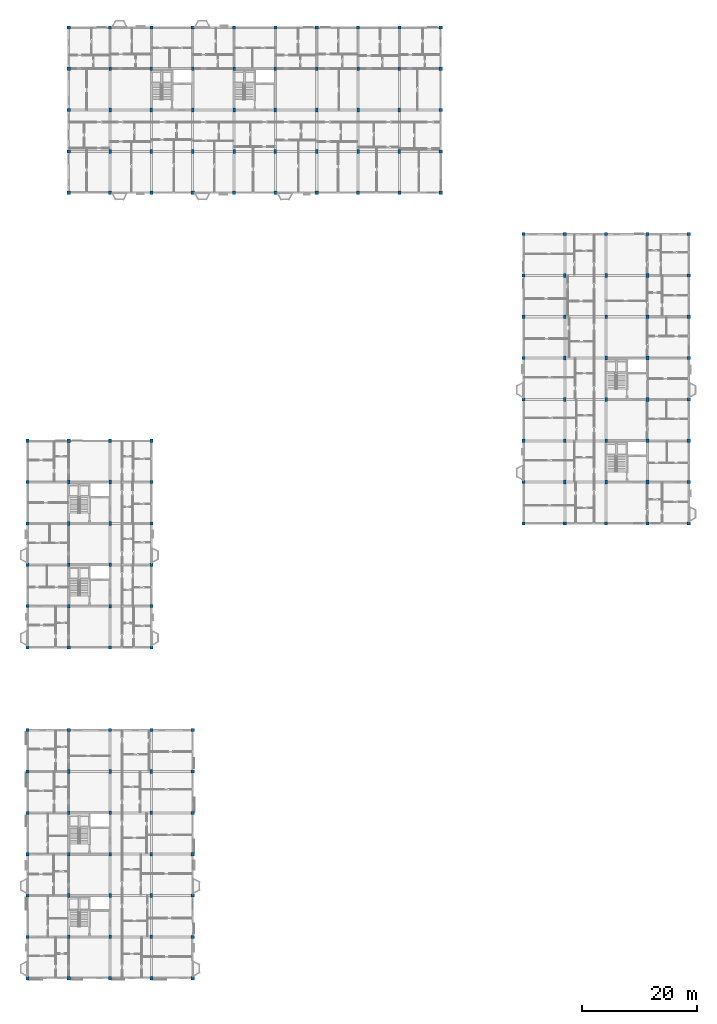
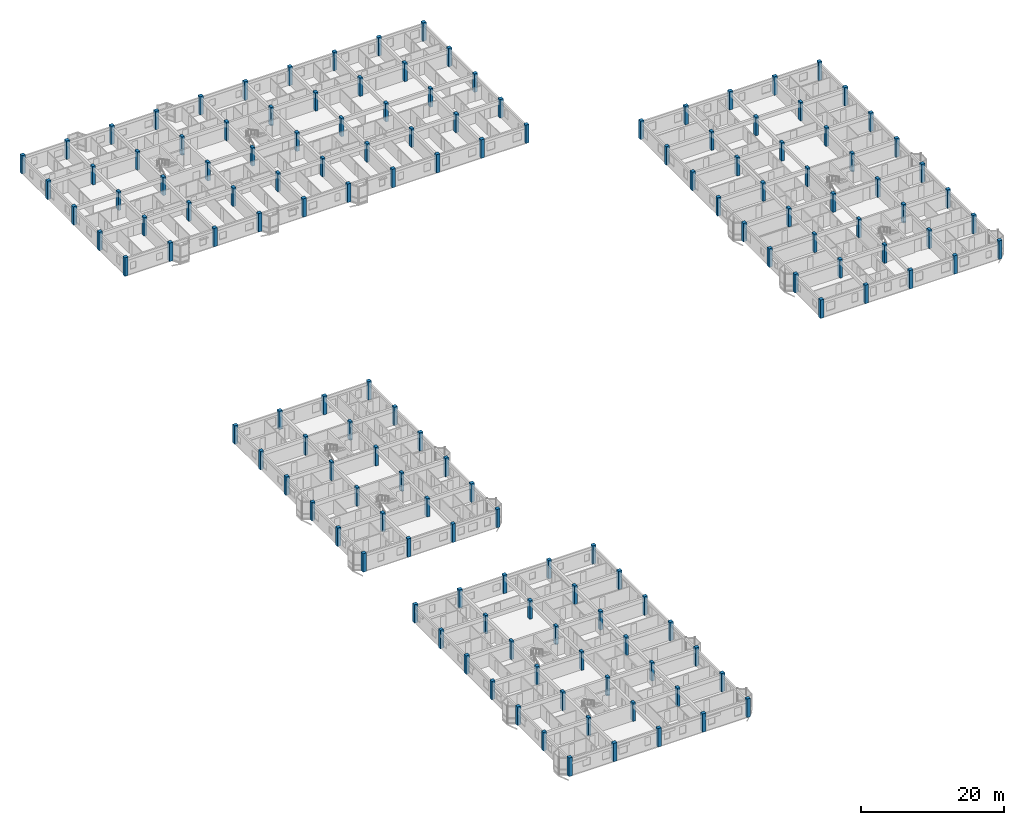
# One storey, part 1 of 77: 149 columns.
"""IFC4 building model written with IfcOpenShell, lengths in metres."""

from ifc_helpers import new_model, si_unit, direction, frame, origin, origin_2d, place, context, subcontext, project, spatial, rectangle, extrude, material, material_profile, profile_set, type_object, element, save


model = new_model("IFC4")

# Units and contexts
model_context = context("Model", 3, precision=1e-05, world=origin(), true_north=direction((0.0, 1.0)))
body_context = subcontext(model_context, "Body", "Model", "MODEL_VIEW")
ifc_project = project(units=[si_unit("LENGTHUNIT", "METRE"), si_unit("AREAUNIT", "SQUARE_METRE"), si_unit("VOLUMEUNIT", "CUBIC_METRE"), si_unit("PLANEANGLEUNIT", "RADIAN"), si_unit("MASSUNIT", "GRAM", prefix="KILO"), si_unit("THERMODYNAMICTEMPERATUREUNIT", "KELVIN"), si_unit("POWERUNIT", "WATT")], contexts=[model_context])

# Site, building, storey
site_placement = place(None, origin())
site = spatial("IfcSite", under=ifc_project, at=site_placement, CompositionType="ELEMENT")
building_placement = place(site_placement, origin())
building = spatial("IfcBuilding", under=site, at=building_placement, Name="Tavuni Mirador Residences", CompositionType="ELEMENT")
storey_placement = place(building_placement, frame((0.0, 0.0, 17.10009765625)))
storey = spatial("IfcBuildingStorey", under=building, at=storey_placement, Name="L05", CompositionType="ELEMENT", Elevation=17.10009765625)

# Columns
ifc_material = material(Name="Precast concrete C40/50", Category="concrete")
ifc_material_profile_1 = material_profile(ifc_material, rectangle(XDim=0.449951171875, YDim=0.64990234375, at=origin_2d()), Name="RC 450x650", Category="concrete")
ifc_profile_set_1 = profile_set([ifc_material_profile_1], Name="Precast concrete C40/50")
column_type_1 = type_object("IfcColumnType", Name="CT-RC450X650", PredefinedType="COLUMN", material=ifc_profile_set_1)
for number, where, z_axis, x_axis, name in (
    (1, (10.800048828125, 14.39990234375, 0.0), (0.0, 0.0, 1.0), (1.0, 0.0, 0.0), "COL-BLK-A-L05-01-01"),
    (2, (10.800048828125, 21.60009765625, 0.0), (0.0, 0.0, 1.0), (1.0, 0.0, 0.0), "COL-BLK-A-L05-01-02"),
    (3, (10.800048828125, 28.800048828125, 0.0), (0.0, 0.0, 1.0), (1.0, 0.0, 0.0), "COL-BLK-A-L05-01-03"),
    (4, (10.800048828125, 36.0, 0.0), (0.0, 0.0, 1.0), (1.0, 0.0, 0.0), "COL-BLK-A-L05-01-04"),
    (5, (10.800048828125, 43.199951171875, 0.0), (0.0, 0.0, 1.0), (1.0, 0.0, 0.0), "COL-BLK-A-L05-01-05"),
    (6, (18.0, 14.39990234375, 0.0), (0.0, 0.0, 1.0), (1.0, 0.0, 0.0), "COL-BLK-A-L05-02-01"),
    (7, (18.0, 21.60009765625, 0.0), (0.0, 0.0, 1.0), (1.0, 0.0, 0.0), "COL-BLK-A-L05-02-02"),
    (8, (18.0, 28.800048828125, 0.0), (0.0, 0.0, 1.0), (1.0, 0.0, 0.0), "COL-BLK-A-L05-02-03"),
    (9, (18.0, 36.0, 0.0), (0.0, 0.0, 1.0), (1.0, 0.0, 0.0), "COL-BLK-A-L05-02-04"),
    (10, (18.0, 43.199951171875, 0.0), (0.0, 0.0, 1.0), (1.0, 0.0, 0.0), "COL-BLK-A-L05-02-05"),
    (11, (25.199951171875, 14.39990234375, 0.0), (0.0, 0.0, 1.0), (1.0, 0.0, 0.0), "COL-BLK-A-L05-03-01"),
    (12, (25.199951171875, 21.60009765625, 0.0), (0.0, 0.0, 1.0), (1.0, 0.0, 0.0), "COL-BLK-A-L05-03-02"),
    (13, (25.199951171875, 28.800048828125, 0.0), (0.0, 0.0, 1.0), (1.0, 0.0, 0.0), "COL-BLK-A-L05-03-03"),
    (14, (25.199951171875, 36.0, 0.0), (0.0, 0.0, 1.0), (1.0, 0.0, 0.0), "COL-BLK-A-L05-03-04"),
    (15, (25.199951171875, 43.199951171875, 0.0), (0.0, 0.0, 1.0), (1.0, 0.0, 0.0), "COL-BLK-A-L05-03-05"),
    (16, (10.800048828125, 72.0, 0.0), (0.0, 0.0, 1.0), (1.0, 0.0, 0.0), "COL-BLK-B-L05-01-01"),
    (17, (10.800048828125, 79.199951171875, 0.0), (0.0, 0.0, 1.0), (1.0, 0.0, 0.0), "COL-BLK-B-L05-01-02"),
    (18, (10.800048828125, 86.39990234375, 0.0), (0.0, 0.0, 1.0), (1.0, 0.0, 0.0), "COL-BLK-B-L05-01-03"),
    (19, (10.800048828125, 93.60009765625, 0.0), (0.0, 0.0, 1.0), (1.0, 0.0, 0.0), "COL-BLK-B-L05-01-04"),
    (20, (18.0, 72.0, 0.0), (0.0, 0.0, 1.0), (1.0, 0.0, 0.0), "COL-BLK-B-L05-02-01"),
    (21, (18.0, 79.199951171875, 0.0), (0.0, 0.0, 1.0), (1.0, 0.0, 0.0), "COL-BLK-B-L05-02-02"),
    (22, (18.0, 86.39990234375, 0.0), (0.0, 0.0, 1.0), (1.0, 0.0, 0.0), "COL-BLK-B-L05-02-03"),
    (23, (18.0, 93.60009765625, 0.0), (0.0, 0.0, 1.0), (1.0, 0.0, 0.0), "COL-BLK-B-L05-02-04"),
    (24, (18.0, 151.199951171875, 0.0), (0.0, 0.0, 1.0), (1.0, 0.0, 0.0), "COL-BLK-C-L05-01-01"),
    (25, (18.0, 158.39990234375, 0.0), (0.0, 0.0, 1.0), (1.0, 0.0, 0.0), "COL-BLK-C-L05-01-02"),
    (26, (18.0, 165.60009765625, 0.0), (0.0, 0.0, 1.0), (1.0, 0.0, 0.0), "COL-BLK-C-L05-01-03"),
    (27, (25.199951171875, 151.199951171875, 0.0), (0.0, 0.0, 1.0), (1.0, 0.0, 0.0), "COL-BLK-C-L05-02-01"),
    (28, (25.199951171875, 158.39990234375, 0.0), (0.0, 0.0, 1.0), (1.0, 0.0, 0.0), "COL-BLK-C-L05-02-02"),
    (29, (25.199951171875, 165.60009765625, 0.0), (0.0, 0.0, 1.0), (1.0, 0.0, 0.0), "COL-BLK-C-L05-02-03"),
    (30, (32.39990234375, 151.199951171875, 0.0), (0.0, 0.0, 1.0), (1.0, 0.0, 0.0), "COL-BLK-C-L05-03-01"),
    (31, (32.39990234375, 158.39990234375, 0.0), (0.0, 0.0, 1.0), (1.0, 0.0, 0.0), "COL-BLK-C-L05-03-02"),
    (32, (32.39990234375, 165.60009765625, 0.0), (0.0, 0.0, 1.0), (1.0, 0.0, 0.0), "COL-BLK-C-L05-03-03"),
    (33, (39.60009765625, 151.199951171875, 0.0), (0.0, 0.0, 1.0), (1.0, 0.0, 0.0), "COL-BLK-C-L05-04-01"),
    (34, (39.60009765625, 158.39990234375, 0.0), (0.0, 0.0, 1.0), (1.0, 0.0, 0.0), "COL-BLK-C-L05-04-02"),
    (35, (39.60009765625, 165.60009765625, 0.0), (0.0, 0.0, 1.0), (1.0, 0.0, 0.0), "COL-BLK-C-L05-04-03"),
    (36, (46.800048828125, 151.199951171875, 0.0), (0.0, 0.0, 1.0), (1.0, 0.0, 0.0), "COL-BLK-C-L05-05-01"),
    (37, (46.800048828125, 158.39990234375, 0.0), (0.0, 0.0, 1.0), (1.0, 0.0, 0.0), "COL-BLK-C-L05-05-02"),
    (38, (46.800048828125, 165.60009765625, 0.0), (0.0, 0.0, 1.0), (1.0, 0.0, 0.0), "COL-BLK-C-L05-05-03"),
    (39, (54.0, 151.199951171875, 0.0), (0.0, 0.0, 1.0), (1.0, 0.0, 0.0), "COL-BLK-C-L05-06-01"),
    (40, (54.0, 158.39990234375, 0.0), (0.0, 0.0, 1.0), (1.0, 0.0, 0.0), "COL-BLK-C-L05-06-02"),
    (41, (54.0, 165.60009765625, 0.0), (0.0, 0.0, 1.0), (1.0, 0.0, 0.0), "COL-BLK-C-L05-06-03"),
    (42, (61.199951171875, 151.199951171875, 0.0), (0.0, 0.0, 1.0), (1.0, 0.0, 0.0), "COL-BLK-C-L05-07-01"),
    (43, (61.199951171875, 158.39990234375, 0.0), (0.0, 0.0, 1.0), (1.0, 0.0, 0.0), "COL-BLK-C-L05-07-02"),
    (44, (61.199951171875, 165.60009765625, 0.0), (0.0, 0.0, 1.0), (1.0, 0.0, 0.0), "COL-BLK-C-L05-07-03"),
    (45, (68.39990234375, 151.199951171875, 0.0), (0.0, 0.0, 1.0), (1.0, 0.0, 0.0), "COL-BLK-C-L05-08-01"),
    (46, (68.39990234375, 158.39990234375, 0.0), (0.0, 0.0, 1.0), (1.0, 0.0, 0.0), "COL-BLK-C-L05-08-02"),
    (47, (68.39990234375, 165.60009765625, 0.0), (0.0, 0.0, 1.0), (1.0, 0.0, 0.0), "COL-BLK-C-L05-08-03"),
    (48, (97.199951171875, 93.60009765625, 0.0), (0.0, 0.0, 1.0), (1.0, 0.0, 0.0), "COL-BLK-D-L05-01-01"),
    (49, (97.199951171875, 100.800048828125, 0.0), (0.0, 0.0, 1.0), (1.0, 0.0, 0.0), "COL-BLK-D-L05-01-02"),
    (50, (97.199951171875, 108.0, 0.0), (0.0, 0.0, 1.0), (1.0, 0.0, 0.0), "COL-BLK-D-L05-01-03"),
    (51, (97.199951171875, 115.199951171875, 0.0), (0.0, 0.0, 1.0), (1.0, 0.0, 0.0), "COL-BLK-D-L05-01-04"),
    (52, (97.199951171875, 122.39990234375, 0.0), (0.0, 0.0, 1.0), (1.0, 0.0, 0.0), "COL-BLK-D-L05-01-05"),
    (53, (97.199951171875, 129.60009765625, 0.0), (0.0, 0.0, 1.0), (1.0, 0.0, 0.0), "COL-BLK-D-L05-01-06"),
    (54, (104.39990234375, 93.60009765625, 0.0), (0.0, 0.0, 1.0), (1.0, 0.0, 0.0), "COL-BLK-D-L05-02-01"),
    (55, (104.39990234375, 100.800048828125, 0.0), (0.0, 0.0, 1.0), (1.0, 0.0, 0.0), "COL-BLK-D-L05-02-02"),
    (56, (104.39990234375, 108.0, 0.0), (0.0, 0.0, 1.0), (1.0, 0.0, 0.0), "COL-BLK-D-L05-02-03"),
    (57, (104.39990234375, 115.199951171875, 0.0), (0.0, 0.0, 1.0), (1.0, 0.0, 0.0), "COL-BLK-D-L05-02-04"),
    (58, (104.39990234375, 122.39990234375, 0.0), (0.0, 0.0, 1.0), (1.0, 0.0, 0.0), "COL-BLK-D-L05-02-05"),
    (59, (104.39990234375, 129.60009765625, 0.0), (0.0, 0.0, 1.0), (1.0, 0.0, 0.0), "COL-BLK-D-L05-02-06"),
    (60, (111.60009765625, 93.60009765625, 0.0), (0.0, 0.0, 1.0), (1.0, 0.0, 0.0), "COL-BLK-D-L05-03-01"),
    (61, (111.60009765625, 100.800048828125, 0.0), (0.0, 0.0, 1.0), (1.0, 0.0, 0.0), "COL-BLK-D-L05-03-02"),
    (62, (111.60009765625, 108.0, 0.0), (0.0, 0.0, 1.0), (1.0, 0.0, 0.0), "COL-BLK-D-L05-03-03"),
    (63, (111.60009765625, 115.199951171875, 0.0), (0.0, 0.0, 1.0), (1.0, 0.0, 0.0), "COL-BLK-D-L05-03-04"),
    (64, (111.60009765625, 122.39990234375, 0.0), (0.0, 0.0, 1.0), (1.0, 0.0, 0.0), "COL-BLK-D-L05-03-05"),
    (65, (111.60009765625, 129.60009765625, 0.0), (0.0, 0.0, 1.0), (1.0, 0.0, 0.0), "COL-BLK-D-L05-03-06"),
):
    element("IfcColumn", number, at=place(storey_placement, frame(where, z_axis=z_axis, x_axis=x_axis)), inside=storey, type_object=column_type_1, Name=name, PredefinedType="COLUMN", context=body_context, shape_type="SweptSolid", body=[
        extrude(rectangle(XDim=0.449951171875, YDim=0.64990234375, at=origin_2d()), origin(), (0.0, 0.0, 1.0), 3.14990234375),
    ])
ifc_material_profile_2 = material_profile(ifc_material, rectangle(XDim=0.550048828125, YDim=0.550048828125, at=origin_2d()), Name="RC 550x550", Category="concrete")
ifc_profile_set_2 = profile_set([ifc_material_profile_2], Name="Precast concrete C40/50")
column_type_2 = type_object("IfcColumnType", Name="CT-RC550", PredefinedType="COLUMN", material=ifc_profile_set_2)
for number, where, z_axis, x_axis, name in (
    (66, (3.60009765625, 7.199951171875, 0.0), (0.0, 0.0, 1.0), (1.0, 0.0, 0.0), "COL-BLK-A-L05-00-00"),
    (67, (3.60009765625, 14.39990234375, 0.0), (0.0, 0.0, 1.0), (1.0, 0.0, 0.0), "COL-BLK-A-L05-00-01"),
    (68, (3.60009765625, 21.60009765625, 0.0), (0.0, 0.0, 1.0), (1.0, 0.0, 0.0), "COL-BLK-A-L05-00-02"),
    (69, (3.60009765625, 28.800048828125, 0.0), (0.0, 0.0, 1.0), (1.0, 0.0, 0.0), "COL-BLK-A-L05-00-03"),
    (70, (3.60009765625, 36.0, 0.0), (0.0, 0.0, 1.0), (1.0, 0.0, 0.0), "COL-BLK-A-L05-00-04"),
    (71, (3.60009765625, 43.199951171875, 0.0), (0.0, 0.0, 1.0), (1.0, 0.0, 0.0), "COL-BLK-A-L05-00-05"),
    (72, (3.60009765625, 50.39990234375, 0.0), (0.0, 0.0, 1.0), (1.0, 0.0, 0.0), "COL-BLK-A-L05-00-06"),
    (73, (10.800048828125, 7.199951171875, 0.0), (0.0, 0.0, 1.0), (1.0, 0.0, 0.0), "COL-BLK-A-L05-01-00"),
    (74, (10.800048828125, 50.39990234375, 0.0), (0.0, 0.0, 1.0), (1.0, 0.0, 0.0), "COL-BLK-A-L05-01-06"),
    (75, (18.0, 7.199951171875, 0.0), (0.0, 0.0, 1.0), (1.0, 0.0, 0.0), "COL-BLK-A-L05-02-00"),
    (76, (18.0, 50.39990234375, 0.0), (0.0, 0.0, 1.0), (1.0, 0.0, 0.0), "COL-BLK-A-L05-02-06"),
    (77, (25.199951171875, 7.199951171875, 0.0), (0.0, 0.0, 1.0), (1.0, 0.0, 0.0), "COL-BLK-A-L05-03-00"),
    (78, (25.199951171875, 50.39990234375, 0.0), (0.0, 0.0, 1.0), (1.0, 0.0, 0.0), "COL-BLK-A-L05-03-06"),
    (79, (32.39990234375, 7.199951171875, 0.0), (0.0, 0.0, 1.0), (1.0, 0.0, 0.0), "COL-BLK-A-L05-04-00"),
    (80, (32.39990234375, 14.39990234375, 0.0), (0.0, 0.0, 1.0), (1.0, 0.0, 0.0), "COL-BLK-A-L05-04-01"),
    (81, (32.39990234375, 21.60009765625, 0.0), (0.0, 0.0, 1.0), (1.0, 0.0, 0.0), "COL-BLK-A-L05-04-02"),
    (82, (32.39990234375, 28.800048828125, 0.0), (0.0, 0.0, 1.0), (1.0, 0.0, 0.0), "COL-BLK-A-L05-04-03"),
    (83, (32.39990234375, 36.0, 0.0), (0.0, 0.0, 1.0), (1.0, 0.0, 0.0), "COL-BLK-A-L05-04-04"),
    (84, (32.39990234375, 43.199951171875, 0.0), (0.0, 0.0, 1.0), (1.0, 0.0, 0.0), "COL-BLK-A-L05-04-05"),
    (85, (32.39990234375, 50.39990234375, 0.0), (0.0, 0.0, 1.0), (1.0, 0.0, 0.0), "COL-BLK-A-L05-04-06"),
    (86, (3.60009765625, 64.800048828125, 0.0), (0.0, 0.0, 1.0), (1.0, 0.0, 0.0), "COL-BLK-B-L05-00-00"),
    (87, (3.60009765625, 72.0, 0.0), (0.0, 0.0, 1.0), (1.0, 0.0, 0.0), "COL-BLK-B-L05-00-01"),
    (88, (3.60009765625, 79.199951171875, 0.0), (0.0, 0.0, 1.0), (1.0, 0.0, 0.0), "COL-BLK-B-L05-00-02"),
    (89, (3.60009765625, 86.39990234375, 0.0), (0.0, 0.0, 1.0), (1.0, 0.0, 0.0), "COL-BLK-B-L05-00-03"),
    (90, (3.60009765625, 93.60009765625, 0.0), (0.0, 0.0, 1.0), (1.0, 0.0, 0.0), "COL-BLK-B-L05-00-04"),
    (91, (3.60009765625, 100.800048828125, 0.0), (0.0, 0.0, 1.0), (1.0, 0.0, 0.0), "COL-BLK-B-L05-00-05"),
    (92, (10.800048828125, 64.800048828125, 0.0), (0.0, 0.0, 1.0), (1.0, 0.0, 0.0), "COL-BLK-B-L05-01-00"),
    (93, (10.800048828125, 100.800048828125, 0.0), (0.0, 0.0, 1.0), (1.0, 0.0, 0.0), "COL-BLK-B-L05-01-05"),
    (94, (18.0, 64.800048828125, 0.0), (0.0, 0.0, 1.0), (1.0, 0.0, 0.0), "COL-BLK-B-L05-02-00"),
    (95, (18.0, 100.800048828125, 0.0), (0.0, 0.0, 1.0), (1.0, 0.0, 0.0), "COL-BLK-B-L05-02-05"),
    (96, (25.199951171875, 64.800048828125, 0.0), (0.0, 0.0, 1.0), (1.0, 0.0, 0.0), "COL-BLK-B-L05-03-00"),
    (97, (25.199951171875, 72.0, 0.0), (0.0, 0.0, 1.0), (1.0, 0.0, 0.0), "COL-BLK-B-L05-03-01"),
    (98, (25.199951171875, 79.199951171875, 0.0), (0.0, 0.0, 1.0), (1.0, 0.0, 0.0), "COL-BLK-B-L05-03-02"),
    (99, (25.199951171875, 86.39990234375, 0.0), (0.0, 0.0, 1.0), (1.0, 0.0, 0.0), "COL-BLK-B-L05-03-03"),
    (100, (25.199951171875, 93.60009765625, 0.0), (0.0, 0.0, 1.0), (1.0, 0.0, 0.0), "COL-BLK-B-L05-03-04"),
    (101, (25.199951171875, 100.800048828125, 0.0), (0.0, 0.0, 1.0), (1.0, 0.0, 0.0), "COL-BLK-B-L05-03-05"),
    (102, (10.800048828125, 144.0, 0.0), (0.0, 0.0, 1.0), (1.0, 0.0, 0.0), "COL-BLK-C-L05-00-00"),
    (103, (10.800048828125, 151.199951171875, 0.0), (0.0, 0.0, 1.0), (1.0, 0.0, 0.0), "COL-BLK-C-L05-00-01"),
    (104, (10.800048828125, 158.39990234375, 0.0), (0.0, 0.0, 1.0), (1.0, 0.0, 0.0), "COL-BLK-C-L05-00-02"),
    (105, (10.800048828125, 165.60009765625, 0.0), (0.0, 0.0, 1.0), (1.0, 0.0, 0.0), "COL-BLK-C-L05-00-03"),
    (106, (10.800048828125, 172.800048828125, 0.0), (0.0, 0.0, 1.0), (1.0, 0.0, 0.0), "COL-BLK-C-L05-00-04"),
    (107, (18.0, 144.0, 0.0), (0.0, 0.0, 1.0), (1.0, 0.0, 0.0), "COL-BLK-C-L05-01-00"),
    (108, (18.0, 172.800048828125, 0.0), (0.0, 0.0, 1.0), (1.0, 0.0, 0.0), "COL-BLK-C-L05-01-04"),
    (109, (25.199951171875, 144.0, 0.0), (0.0, 0.0, 1.0), (1.0, 0.0, 0.0), "COL-BLK-C-L05-02-00"),
    (110, (25.199951171875, 172.800048828125, 0.0), (0.0, 0.0, 1.0), (1.0, 0.0, 0.0), "COL-BLK-C-L05-02-04"),
    (111, (32.39990234375, 144.0, 0.0), (0.0, 0.0, 1.0), (1.0, 0.0, 0.0), "COL-BLK-C-L05-03-00"),
    (112, (32.39990234375, 172.800048828125, 0.0), (0.0, 0.0, 1.0), (1.0, 0.0, 0.0), "COL-BLK-C-L05-03-04"),
    (113, (39.60009765625, 144.0, 0.0), (0.0, 0.0, 1.0), (1.0, 0.0, 0.0), "COL-BLK-C-L05-04-00"),
    (114, (39.60009765625, 172.800048828125, 0.0), (0.0, 0.0, 1.0), (1.0, 0.0, 0.0), "COL-BLK-C-L05-04-04"),
    (115, (46.800048828125, 144.0, 0.0), (0.0, 0.0, 1.0), (1.0, 0.0, 0.0), "COL-BLK-C-L05-05-00"),
    (116, (46.800048828125, 172.800048828125, 0.0), (0.0, 0.0, 1.0), (1.0, 0.0, 0.0), "COL-BLK-C-L05-05-04"),
    (117, (54.0, 144.0, 0.0), (0.0, 0.0, 1.0), (1.0, 0.0, 0.0), "COL-BLK-C-L05-06-00"),
    (118, (54.0, 172.800048828125, 0.0), (0.0, 0.0, 1.0), (1.0, 0.0, 0.0), "COL-BLK-C-L05-06-04"),
    (119, (61.199951171875, 144.0, 0.0), (0.0, 0.0, 1.0), (1.0, 0.0, 0.0), "COL-BLK-C-L05-07-00"),
    (120, (61.199951171875, 172.800048828125, 0.0), (0.0, 0.0, 1.0), (1.0, 0.0, 0.0), "COL-BLK-C-L05-07-04"),
    (121, (68.39990234375, 144.0, 0.0), (0.0, 0.0, 1.0), (1.0, 0.0, 0.0), "COL-BLK-C-L05-08-00"),
    (122, (68.39990234375, 172.800048828125, 0.0), (0.0, 0.0, 1.0), (1.0, 0.0, 0.0), "COL-BLK-C-L05-08-04"),
    (123, (75.60009765625, 144.0, 0.0), (0.0, 0.0, 1.0), (1.0, 0.0, 0.0), "COL-BLK-C-L05-09-00"),
    (124, (75.60009765625, 151.199951171875, 0.0), (0.0, 0.0, 1.0), (1.0, 0.0, 0.0), "COL-BLK-C-L05-09-01"),
    (125, (75.60009765625, 158.39990234375, 0.0), (0.0, 0.0, 1.0), (1.0, 0.0, 0.0), "COL-BLK-C-L05-09-02"),
    (126, (75.60009765625, 165.60009765625, 0.0), (0.0, 0.0, 1.0), (1.0, 0.0, 0.0), "COL-BLK-C-L05-09-03"),
    (127, (75.60009765625, 172.800048828125, 0.0), (0.0, 0.0, 1.0), (1.0, 0.0, 0.0), "COL-BLK-C-L05-09-04"),
    (128, (90.0, 86.39990234375, 0.0), (0.0, 0.0, 1.0), (1.0, 0.0, 0.0), "COL-BLK-D-L05-00-00"),
    (129, (90.0, 93.60009765625, 0.0), (0.0, 0.0, 1.0), (1.0, 0.0, 0.0), "COL-BLK-D-L05-00-01"),
    (130, (90.0, 100.800048828125, 0.0), (0.0, 0.0, 1.0), (1.0, 0.0, 0.0), "COL-BLK-D-L05-00-02"),
    (131, (90.0, 108.0, 0.0), (0.0, 0.0, 1.0), (1.0, 0.0, 0.0), "COL-BLK-D-L05-00-03"),
    (132, (90.0, 115.199951171875, 0.0), (0.0, 0.0, 1.0), (1.0, 0.0, 0.0), "COL-BLK-D-L05-00-04"),
    (133, (90.0, 122.39990234375, 0.0), (0.0, 0.0, 1.0), (1.0, 0.0, 0.0), "COL-BLK-D-L05-00-05"),
    (134, (90.0, 129.60009765625, 0.0), (0.0, 0.0, 1.0), (1.0, 0.0, 0.0), "COL-BLK-D-L05-00-06"),
    (135, (90.0, 136.800048828125, 0.0), (0.0, 0.0, 1.0), (1.0, 0.0, 0.0), "COL-BLK-D-L05-00-07"),
    (136, (97.199951171875, 86.39990234375, 0.0), (0.0, 0.0, 1.0), (1.0, 0.0, 0.0), "COL-BLK-D-L05-01-00"),
    (137, (97.199951171875, 136.800048828125, 0.0), (0.0, 0.0, 1.0), (1.0, 0.0, 0.0), "COL-BLK-D-L05-01-07"),
    (138, (104.39990234375, 86.39990234375, 0.0), (0.0, 0.0, 1.0), (1.0, 0.0, 0.0), "COL-BLK-D-L05-02-00"),
    (139, (104.39990234375, 136.800048828125, 0.0), (0.0, 0.0, 1.0), (1.0, 0.0, 0.0), "COL-BLK-D-L05-02-07"),
    (140, (111.60009765625, 86.39990234375, 0.0), (0.0, 0.0, 1.0), (1.0, 0.0, 0.0), "COL-BLK-D-L05-03-00"),
    (141, (111.60009765625, 136.800048828125, 0.0), (0.0, 0.0, 1.0), (1.0, 0.0, 0.0), "COL-BLK-D-L05-03-07"),
    (142, (118.800048828125, 86.39990234375, 0.0), (0.0, 0.0, 1.0), (1.0, 0.0, 0.0), "COL-BLK-D-L05-04-00"),
    (143, (118.800048828125, 93.60009765625, 0.0), (0.0, 0.0, 1.0), (1.0, 0.0, 0.0), "COL-BLK-D-L05-04-01"),
    (144, (118.800048828125, 100.800048828125, 0.0), (0.0, 0.0, 1.0), (1.0, 0.0, 0.0), "COL-BLK-D-L05-04-02"),
    (145, (118.800048828125, 108.0, 0.0), (0.0, 0.0, 1.0), (1.0, 0.0, 0.0), "COL-BLK-D-L05-04-03"),
    (146, (118.800048828125, 115.199951171875, 0.0), (0.0, 0.0, 1.0), (1.0, 0.0, 0.0), "COL-BLK-D-L05-04-04"),
    (147, (118.800048828125, 122.39990234375, 0.0), (0.0, 0.0, 1.0), (1.0, 0.0, 0.0), "COL-BLK-D-L05-04-05"),
    (148, (118.800048828125, 129.60009765625, 0.0), (0.0, 0.0, 1.0), (1.0, 0.0, 0.0), "COL-BLK-D-L05-04-06"),
    (149, (118.800048828125, 136.800048828125, 0.0), (0.0, 0.0, 1.0), (1.0, 0.0, 0.0), "COL-BLK-D-L05-04-07"),
):
    element("IfcColumn", number, at=place(storey_placement, frame(where, z_axis=z_axis, x_axis=x_axis)), inside=storey, type_object=column_type_2, Name=name, PredefinedType="COLUMN", context=body_context, shape_type="SweptSolid", body=[
        extrude(rectangle(XDim=0.550048828125, YDim=0.550048828125, at=origin_2d()), origin(), (0.0, 0.0, 1.0), 3.14990234375),
    ])

save(model, "model.ifc")
